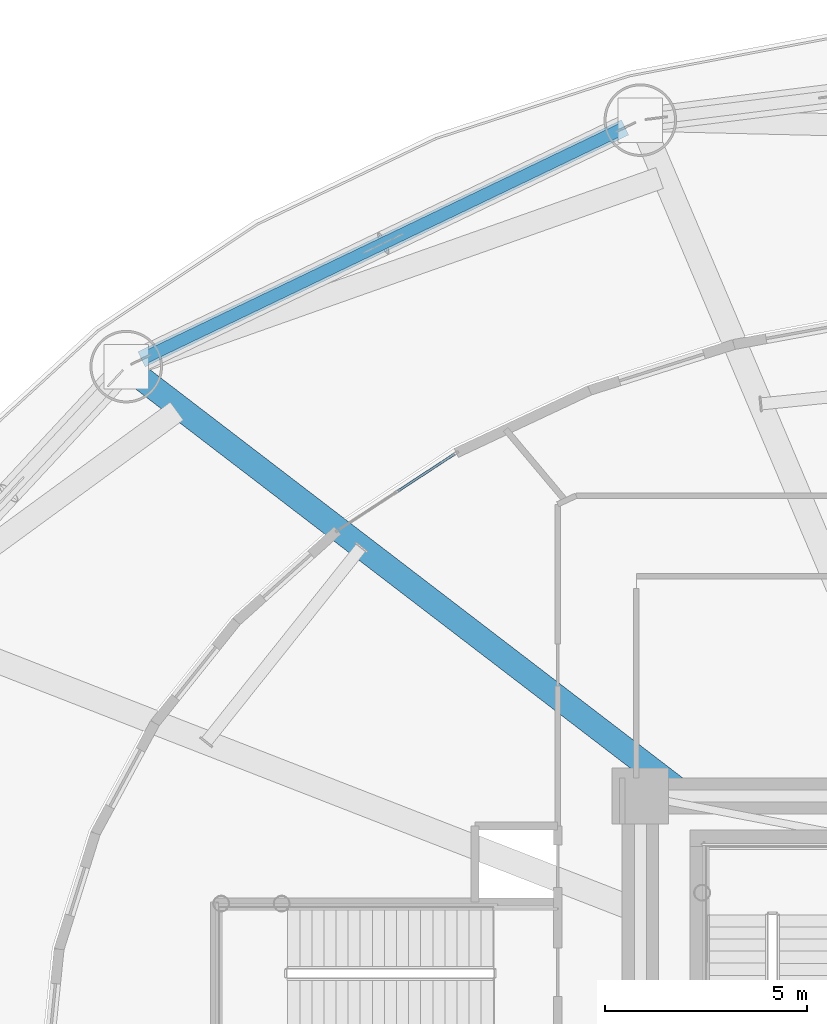
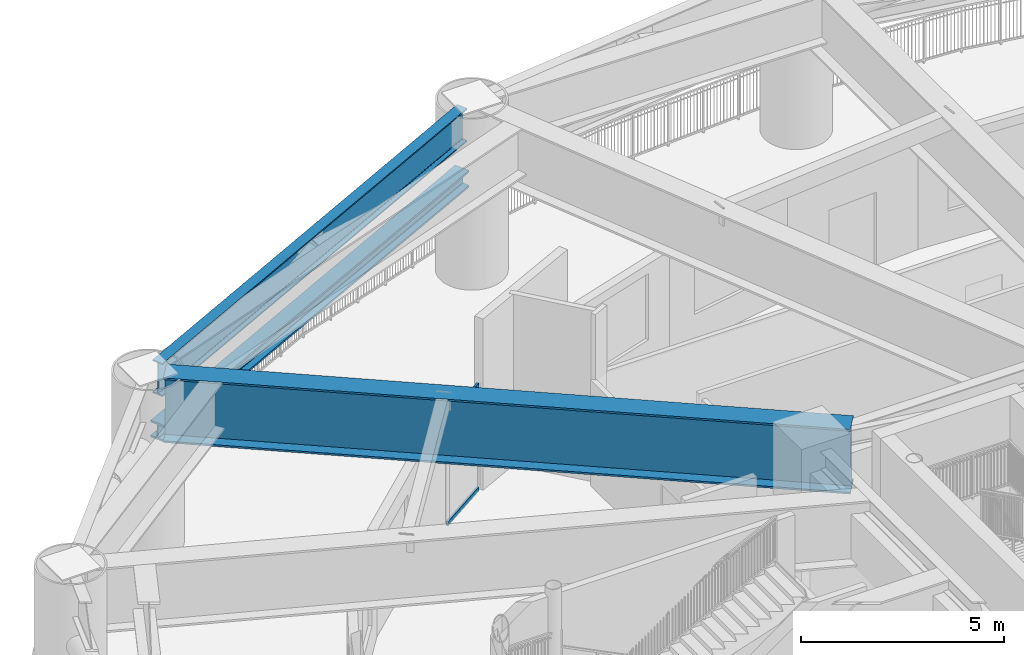
# One storey, part 11 of 39: 3 beams, 2 members, 1 element without a shape of its own.
"""IFC4 building model written with IfcOpenShell, lengths in metres."""

from ifc_helpers import new_model, si_unit, direction, frame, origin, origin_2d, place, context, subcontext, project, spatial, hollow_rectangle, i_section, extrude, source, transform, mapped, material, layer, layer_set, material_profile, profile_set, type_object, element, aggregate, save


model = new_model("IFC4")

# Units and contexts
model_context = context("Model", 3, precision=1e-05, world=origin(), true_north=direction((0.0, 1.0)))
body_context = subcontext(model_context, "Body", "Model", "MODEL_VIEW")
ifc_project = project(units=[si_unit("LENGTHUNIT", "METRE"), si_unit("AREAUNIT", "SQUARE_METRE"), si_unit("VOLUMEUNIT", "CUBIC_METRE"), si_unit("PLANEANGLEUNIT", "RADIAN"), si_unit("MASSUNIT", "GRAM", prefix="KILO")], contexts=[model_context])

# Site, building, storey
site_placement = place(None, origin())
site = spatial("IfcSite", under=ifc_project, at=site_placement, CompositionType="ELEMENT")
building_placement = place(site_placement, origin())
building = spatial("IfcBuilding", under=site, at=building_placement, Name="Linh Dai School and Residence Tower", CompositionType="ELEMENT")
storey_placement = place(building_placement, frame((0.0, 0.0, 27.0)))
storey = spatial("IfcBuildingStorey", under=building, at=storey_placement, Name="L06", CompositionType="ELEMENT", Elevation=27.0)

# Beams
ifc_material_1 = material(Name="Structural Steel S355JR", Category="steel")
ifc_material_profile_1 = material_profile(ifc_material_1, i_section(OverallWidth=0.41796875, OverallDepth=0.506103515625, WebThickness=0.038818359375, FlangeThickness=0.05810546875, FilletRadius=0.014892578125, at=origin_2d()), Name="HD 400x551")
ifc_profile_set_1 = profile_set([ifc_material_profile_1], Name="Structural Steel S355JR")
beam_type_1 = type_object("IfcBeamType", Name="BM-BC1", PredefinedType="BEAM", material=ifc_profile_set_1)
beam_1_placement = place(storey_placement, frame((25.670166015625, 50.33447265625, 3.050048828125), z_axis=(-0.901703667424, -0.432354595388, 0.0), x_axis=(0.432354595388, -0.901703667424, 0.0)))
element("IfcBeam", 1, at=beam_1_placement, inside=storey, type_object=beam_type_1, Name="L06 Ring Belt Truss BT1 Bottom Chord 06", PredefinedType="BEAM", context=body_context, shape_type="SweptSolid", body=[
    extrude(i_section(OverallWidth=0.41796875, OverallDepth=0.506103515625, WebThickness=0.038818359375, FlangeThickness=0.05810546875, FilletRadius=0.014892578125, at=origin_2d()), origin(), (0.0, 0.0, 1.0), 13.304443359375),
])
ifc_material_profile_2 = material_profile(ifc_material_1, i_section(OverallWidth=0.300048828125, OverallDepth=1.0, WebThickness=0.01904296875, FlangeThickness=0.035888671875, FilletRadius=0.030029296875, at=origin_2d()), Name="HEB 1000")
ifc_profile_set_2 = profile_set([ifc_material_profile_2], Name="Structural Steel S355JR")
beam_type_2 = type_object("IfcBeamType", Name="BM-RG10", PredefinedType="BEAM", material=ifc_profile_set_2)
beam_2_placement = place(storey_placement, frame((25.670166015625, 50.33447265625, 4.64990234375), z_axis=(-0.901703667424, -0.432354595388, 0.0), x_axis=(0.432354595388, -0.901703667424, 0.0)))
element("IfcBeam", 2, at=beam_2_placement, inside=storey, type_object=beam_type_2, Name="L06 Perimeter Elliptical Ring Beam 06", PredefinedType="BEAM", context=body_context, shape_type="SweptSolid", body=[
    extrude(i_section(OverallWidth=0.300048828125, OverallDepth=1.0, WebThickness=0.01904296875, FlangeThickness=0.035888671875, FilletRadius=0.030029296875, at=origin_2d()), origin(), (0.0, 0.0, 1.0), 13.304443359375),
])
ifc_material_profile_3 = material_profile(ifc_material_1, i_section(OverallWidth=0.60009765625, OverallDepth=1.949951171875, WebThickness=0.031982421875, FlangeThickness=0.054931640625, at=origin_2d()), Name="PG 1950x600x32x55")
ifc_profile_set_3 = profile_set([ifc_material_profile_3], Name="Structural Steel S355JR")
beam_type_3 = type_object("IfcBeamType", Name="BM-TG19", PredefinedType="BEAM", material=ifc_profile_set_3)
beam_3_placement = place(storey_placement, frame((27.192138671875, 33.75, 4.175048828125), z_axis=(-0.793713040757, 0.608292371259, 0.0), x_axis=(-0.608292371259, -0.793713040757, 0.0)))
element("IfcBeam", 3, at=beam_3_placement, inside=storey, type_object=beam_type_3, Name="L06 Radial Setback Transfer Girder 07", PredefinedType="BEAM", context=body_context, shape_type="SweptSolid", body=[
    extrude(i_section(OverallWidth=0.60009765625, OverallDepth=1.949951171875, WebThickness=0.031982421875, FlangeThickness=0.054931640625, at=origin_2d()), origin(), (0.0, 0.0, 1.0), 17.08935546875),
])

# Curtain wall, members
ifc_material_2 = material(Name="Aluminium Anodised Curtain Wall", Category="aluminium")
ifc_layer = layer(ifc_material_2, 0.169921875)
ifc_layer_set = layer_set([ifc_layer], Name="Aluminium Anodised Curtain Wall")
curtain_wall_type = type_object("IfcCurtainWallType", Name="CW-SYS-2", PredefinedType="USERDEFINED", material=ifc_layer_set)
curtain_wall_placement = place(storey_placement, origin())
curtain_wall = element("IfcCurtainWall", 4, at=curtain_wall_placement, inside=storey, type_object=curtain_wall_type, Name="L06 CW2 Curtain Wall 15", ObjectType="UNITISED CURTAIN WALL", PredefinedType="USERDEFINED")
ifc_material_3 = material(Name="Aluminium Alloy 6063-T6", Category="aluminium")
ifc_material_profile_4 = material_profile(ifc_material_3, hollow_rectangle(XDim=0.06005859375, YDim=0.1298828125, WallThickness=0.00390625, at=origin_2d()), Name="RHS 130x60x4")
ifc_profile_set_4 = profile_set([ifc_material_profile_4], Name="Aluminium Alloy 6063-T6")
member_type = type_object("IfcMemberType", Name="CW-SYS-2-TRN", PredefinedType="USERDEFINED", material=ifc_profile_set_4)
shared_shape = source(origin(), body_context, "Body", "SweptSolid", [
    extrude(hollow_rectangle(XDim=0.06005859375, YDim=0.1298828125, WallThickness=0.00390625, at=origin_2d()), origin(), (0.0, 0.0, 1.0), 1.669189453125),
])
member_1_placement = place(storey_placement, frame((20.036865234375, 41.3154296875, 0.030029296875), z_axis=(0.836812395716, 0.54748973906, 0.0), x_axis=(-0.54748973906, 0.836812395716, 0.0)))
member_1 = element("IfcMember", 5, at=member_1_placement, type_object=member_type, Name="CW2 transom 2.1", ObjectType="TRANSOM", PredefinedType="USERDEFINED", context=body_context, shape_type="MappedRepresentation", body=[
    mapped(shared_shape, transform((0.0, 0.0, 0.0), x_axis=(1.0, 0.0, 0.0), y_axis=(0.0, 1.0, 0.0), z_axis=(0.0, 0.0, 1.0), scale=1.0)),
])
member_2_placement = place(storey_placement, frame((20.036865234375, 41.3154296875, 3.155029296875), z_axis=(0.836812395716, 0.54748973906, 0.0), x_axis=(-0.54748973906, 0.836812395716, 0.0)))
member_2 = element("IfcMember", 6, at=member_2_placement, type_object=member_type, Name="CW2 transom 2.2", ObjectType="TRANSOM", PredefinedType="USERDEFINED", context=body_context, shape_type="MappedRepresentation", body=[
    mapped(shared_shape, transform((0.0, 0.0, 0.0), x_axis=(1.0, 0.0, 0.0), y_axis=(0.0, 1.0, 0.0), z_axis=(0.0, 0.0, 1.0), scale=1.0)),
])
aggregate(curtain_wall, [member_1, member_2])

save(model, "model.ifc")
